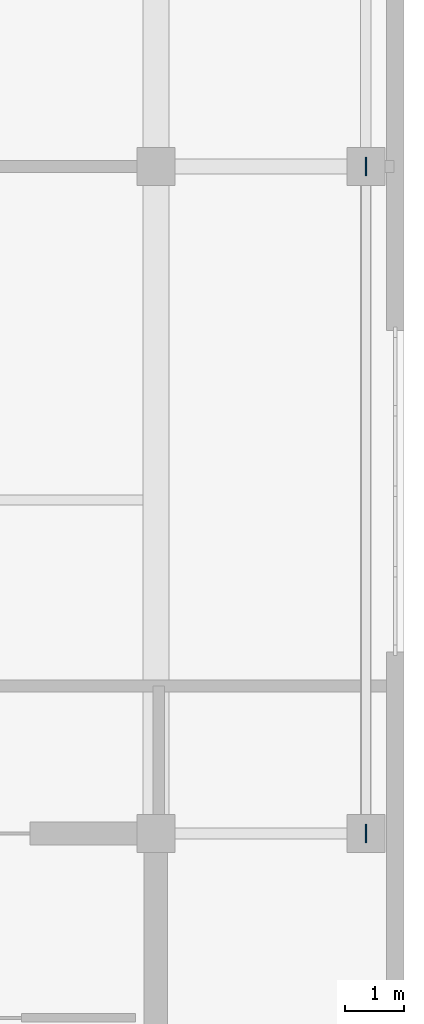
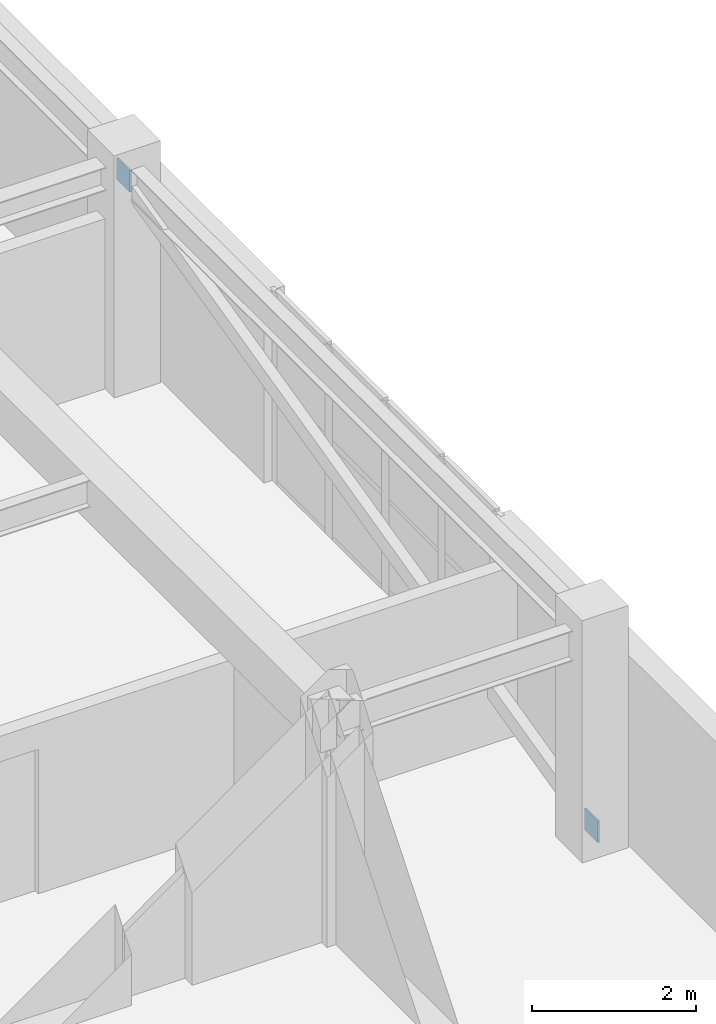
# One storey, part 8 of 9: 2 discrete accessories.
"""IFC4 building model written with IfcOpenShell, lengths in metres."""

from ifc_helpers import new_model, si_unit, direction, frame, origin, origin_2d, place, context, subcontext, project, spatial, rectangle, extrude, material, layer, layer_set, type_object, element, save


model = new_model("IFC4")

# Units and contexts
model_context = context("Model", 3, precision=1e-05, world=origin(), true_north=direction((0.0, 1.0)))
body_context = subcontext(model_context, "Body", "Model", "MODEL_VIEW")
ifc_project = project(units=[si_unit("LENGTHUNIT", "METRE"), si_unit("AREAUNIT", "SQUARE_METRE"), si_unit("VOLUMEUNIT", "CUBIC_METRE"), si_unit("PLANEANGLEUNIT", "RADIAN"), si_unit("MASSUNIT", "GRAM", prefix="KILO")], contexts=[model_context])

# Site, building, storey
site_placement = place(None, origin())
site = spatial("IfcSite", under=ifc_project, at=site_placement, CompositionType="ELEMENT")
building_placement = place(site_placement, origin())
building = spatial("IfcBuilding", under=site, at=building_placement, Name="Svetorya Sky Lyceum", CompositionType="ELEMENT")
storey_placement = place(building_placement, frame((0.0, 0.0, 320.0)))
storey = spatial("IfcBuildingStorey", under=building, at=storey_placement, Name="C06", CompositionType="ELEMENT", Elevation=320.0)

# Discrete accessories
ifc_material = material(Name="Steel S355", Category="steel")
ifc_layer = layer(ifc_material, 0.02392578125)
ifc_layer_set = layer_set([ifc_layer], Name="Steel S355")
discrete_accessory_type = type_object("IfcDiscreteAccessoryType", Name="ACC-GUSSET-24", PredefinedType="BRACKET", material=ifc_layer_set)
for number, where, z_axis, x_axis, name in (
    (1, (56.389892578125, 16.800048828125, 0.08984375), (0.0, 0.0, 1.0), (1.0, 0.0, 0.0), "C06 Brace Node Gusset Plate 215"),
    (2, (56.389892578125, 28.199951171875, 2.85009765625), (0.0, 0.0, 1.0), (1.0, 0.0, 0.0), "C06 Brace Node Gusset Plate 216"),
):
    element("IfcDiscreteAccessory", number, at=place(storey_placement, frame(where, z_axis=z_axis, x_axis=x_axis)), inside=storey, type_object=discrete_accessory_type, Name=name, PredefinedType="BRACKET", context=body_context, shape_type="SweptSolid", body=[
        extrude(rectangle(XDim=0.02392578125, YDim=0.320068359375, at=origin_2d()), origin(), (0.0, 0.0, 1.0), 0.320068359375),
    ])

save(model, "model.ifc")
